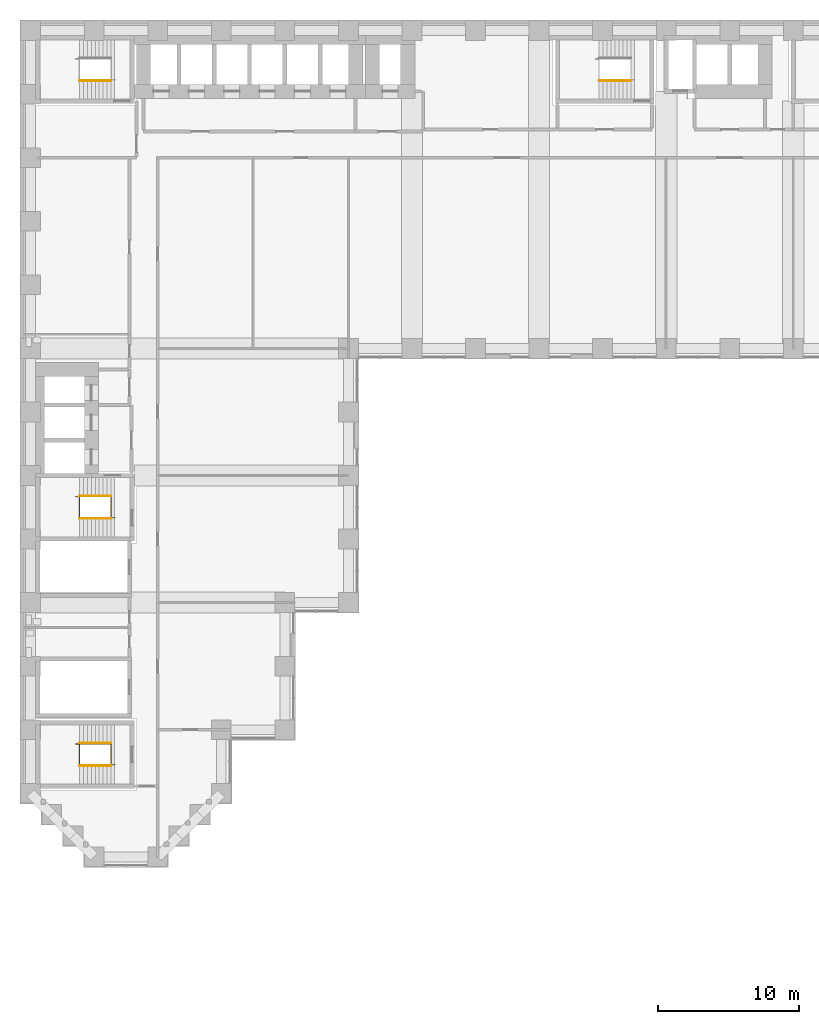
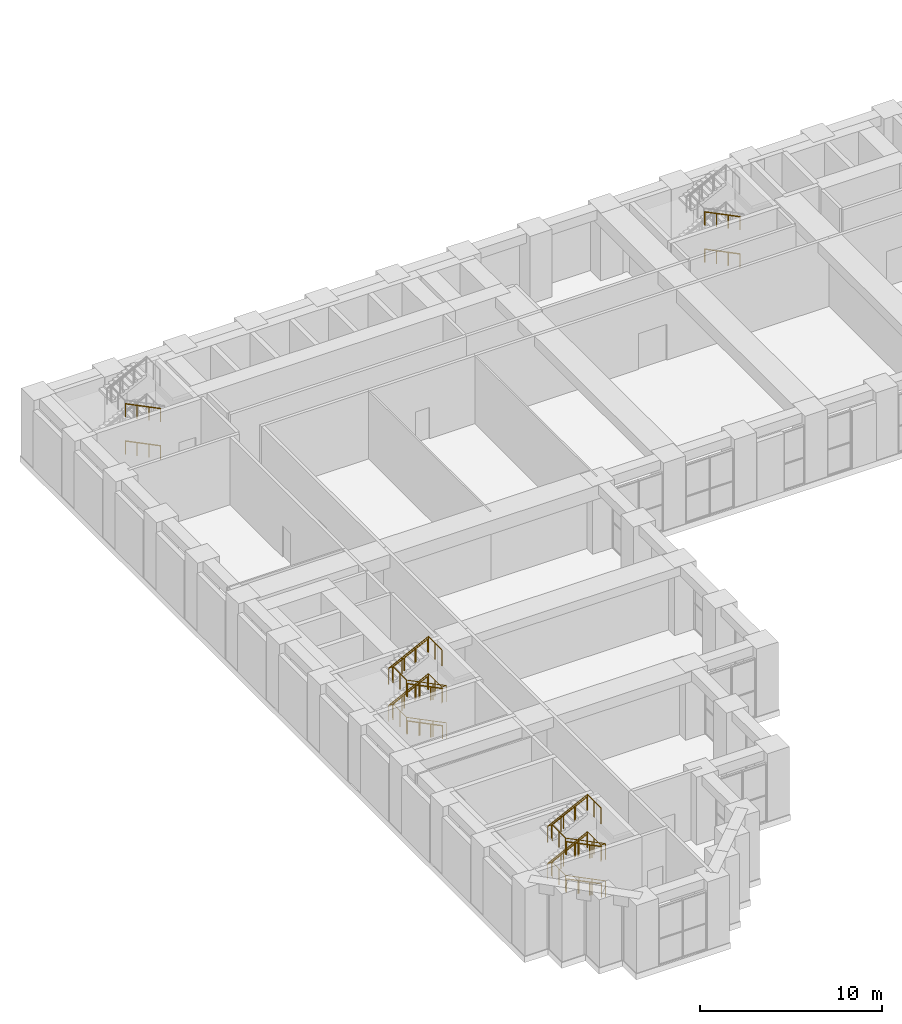
# One storey, part 29 of 34: 14 railings.
"""IFC4 building model written with IfcOpenShell, lengths in metres."""

from ifc_helpers import new_model, si_unit, direction, frame, origin, origin_2d, place, context, subcontext, project, spatial, circle, extrude, material, type_object, element, save


model = new_model("IFC4")

# Units and contexts
model_context = context("Model", 3, precision=1e-05, world=origin(), true_north=direction((0.0, 1.0)))
body_context = subcontext(model_context, "Body", "Model", "MODEL_VIEW")
ifc_project = project(units=[si_unit("LENGTHUNIT", "METRE"), si_unit("AREAUNIT", "SQUARE_METRE"), si_unit("VOLUMEUNIT", "CUBIC_METRE"), si_unit("PLANEANGLEUNIT", "RADIAN"), si_unit("MASSUNIT", "GRAM", prefix="KILO")], contexts=[model_context])

# Site, building, storey
site_placement = place(None, origin())
site = spatial("IfcSite", under=ifc_project, at=site_placement, CompositionType="ELEMENT")
building_placement = place(site_placement, origin())
building = spatial("IfcBuilding", under=site, at=building_placement, Name="Firuza Court", CompositionType="ELEMENT")
storey_placement = place(building_placement, frame((0.0, 0.0, 19.0)))
storey = spatial("IfcBuildingStorey", under=building, at=storey_placement, Name="L03", CompositionType="ELEMENT", Elevation=19.0)

# Railings
ifc_material_1 = material(Name="Steel S355", Category="steel")
railing_type_1 = type_object("IfcRailingType", Name="Handrail 900", PredefinedType="HANDRAIL", material=ifc_material_1)
for number, where, name in (
    (1, (42.5, 54.949951171875, 0.138916015625), "Handrail S1 flight 1"),
    (2, (42.5, 54.949951171875, 2.638916015625), "Handrail S1 flight 3"),
    (3, (5.699951171875, 23.949951171875, 0.138916015625), "Handrail S2 flight 1"),
):
    element("IfcRailing", number, at=place(storey_placement, frame(where)), inside=storey, type_object=railing_type_1, Name=name, PredefinedType="HANDRAIL", context=body_context, shape_type="SweptSolid", body=[
        extrude(circle(Radius=0.02490234375, at=origin_2d()), frame((0.0, 0.0, 0.875), z_axis=(-0.895848192791, 0.0, 0.444360231651), x_axis=(0.0, -1.0, 0.0)), (0.0, 0.0, 1.0), 2.50048828125),
        extrude(circle(Radius=0.02001953125, at=origin_2d()), origin(), (0.0, 0.0, 1.0), 0.849853515625),
        extrude(circle(Radius=0.02001953125, at=origin_2d()), frame((-0.74658203125, 0.0, 0.370361328125)), (0.0, 0.0, 1.0), 0.849853515625),
        extrude(circle(Radius=0.02001953125, at=origin_2d()), frame((-1.493408203125, 0.0, 0.74072265625)), (0.0, 0.0, 1.0), 0.849853515625),
        extrude(circle(Radius=0.02001953125, at=origin_2d()), frame((-2.239990234375, 0.0, 1.111083984375)), (0.0, 0.0, 1.0), 0.849853515625),
    ])
railing_1_placement = place(storey_placement, frame((3.4599609375, 25.550048828125, 1.388916015625)))
element("IfcRailing", 4, at=railing_1_placement, inside=storey, type_object=railing_type_1, Name="Handrail S2 flight 2", PredefinedType="HANDRAIL", context=body_context, shape_type="SweptSolid", body=[
    extrude(circle(Radius=0.02490234375, at=origin_2d()), frame((0.0, 0.0, 0.875), z_axis=(0.895848192791, 0.0, 0.444360231651), x_axis=(0.0, 1.0, 0.0)), (0.0, 0.0, 1.0), 2.50048828125),
    extrude(circle(Radius=0.02001953125, at=origin_2d()), origin(), (0.0, 0.0, 1.0), 0.849853515625),
    extrude(circle(Radius=0.02001953125, at=origin_2d()), frame((0.74658203125, 0.0, 0.370361328125)), (0.0, 0.0, 1.0), 0.849853515625),
    extrude(circle(Radius=0.02001953125, at=origin_2d()), frame((1.493408203125, 0.0, 0.74072265625)), (0.0, 0.0, 1.0), 0.849853515625),
    extrude(circle(Radius=0.02001953125, at=origin_2d()), frame((2.239990234375, 0.0, 1.111083984375)), (0.0, 0.0, 1.0), 0.849853515625),
])
railing_2_placement = place(storey_placement, frame((5.699951171875, 23.949951171875, 2.638916015625)))
element("IfcRailing", 5, at=railing_2_placement, inside=storey, type_object=railing_type_1, Name="Handrail S2 flight 3", PredefinedType="HANDRAIL", context=body_context, shape_type="SweptSolid", body=[
    extrude(circle(Radius=0.02490234375, at=origin_2d()), frame((0.0, 0.0, 0.875), z_axis=(-0.895848192791, 0.0, 0.444360231651), x_axis=(0.0, -1.0, 0.0)), (0.0, 0.0, 1.0), 2.50048828125),
    extrude(circle(Radius=0.02001953125, at=origin_2d()), origin(), (0.0, 0.0, 1.0), 0.849853515625),
    extrude(circle(Radius=0.02001953125, at=origin_2d()), frame((-0.74658203125, 0.0, 0.370361328125)), (0.0, 0.0, 1.0), 0.849853515625),
    extrude(circle(Radius=0.02001953125, at=origin_2d()), frame((-1.493408203125, 0.0, 0.74072265625)), (0.0, 0.0, 1.0), 0.849853515625),
    extrude(circle(Radius=0.02001953125, at=origin_2d()), frame((-2.239990234375, 0.0, 1.111083984375)), (0.0, 0.0, 1.0), 0.849853515625),
])
railing_3_placement = place(storey_placement, frame((3.4599609375, 25.550048828125, 3.888916015625)))
element("IfcRailing", 6, at=railing_3_placement, inside=storey, type_object=railing_type_1, Name="Handrail S2 flight 4", PredefinedType="HANDRAIL", context=body_context, shape_type="SweptSolid", body=[
    extrude(circle(Radius=0.02490234375, at=origin_2d()), frame((0.0, 0.0, 0.875), z_axis=(0.895848192791, 0.0, 0.444360231651), x_axis=(0.0, 1.0, 0.0)), (0.0, 0.0, 1.0), 2.50048828125),
    extrude(circle(Radius=0.02001953125, at=origin_2d()), origin(), (0.0, 0.0, 1.0), 0.849853515625),
    extrude(circle(Radius=0.02001953125, at=origin_2d()), frame((0.74658203125, 0.0, 0.370361328125)), (0.0, 0.0, 1.0), 0.849853515625),
    extrude(circle(Radius=0.02001953125, at=origin_2d()), frame((1.493408203125, 0.0, 0.74072265625)), (0.0, 0.0, 1.0), 0.849853515625),
    extrude(circle(Radius=0.02001953125, at=origin_2d()), frame((2.239990234375, 0.0, 1.111083984375)), (0.0, 0.0, 1.0), 0.849853515625),
])
for number, where, name in (
    (7, (5.699951171875, 54.949951171875, 0.138916015625), "Handrail S3 flight 1"),
    (8, (5.699951171875, 54.949951171875, 2.638916015625), "Handrail S3 flight 3"),
    (9, (5.699951171875, 6.449951171875, 0.138916015625), "Handrail S5 flight 1"),
):
    element("IfcRailing", number, at=place(storey_placement, frame(where)), inside=storey, type_object=railing_type_1, Name=name, PredefinedType="HANDRAIL", context=body_context, shape_type="SweptSolid", body=[
        extrude(circle(Radius=0.02490234375, at=origin_2d()), frame((0.0, 0.0, 0.875), z_axis=(-0.895848192791, 0.0, 0.444360231651), x_axis=(0.0, -1.0, 0.0)), (0.0, 0.0, 1.0), 2.50048828125),
        extrude(circle(Radius=0.02001953125, at=origin_2d()), origin(), (0.0, 0.0, 1.0), 0.849853515625),
        extrude(circle(Radius=0.02001953125, at=origin_2d()), frame((-0.74658203125, 0.0, 0.370361328125)), (0.0, 0.0, 1.0), 0.849853515625),
        extrude(circle(Radius=0.02001953125, at=origin_2d()), frame((-1.493408203125, 0.0, 0.74072265625)), (0.0, 0.0, 1.0), 0.849853515625),
        extrude(circle(Radius=0.02001953125, at=origin_2d()), frame((-2.239990234375, 0.0, 1.111083984375)), (0.0, 0.0, 1.0), 0.849853515625),
    ])
railing_4_placement = place(storey_placement, frame((3.4599609375, 8.050048828125, 1.388916015625)))
element("IfcRailing", 10, at=railing_4_placement, inside=storey, type_object=railing_type_1, Name="Handrail S5 flight 2", PredefinedType="HANDRAIL", context=body_context, shape_type="SweptSolid", body=[
    extrude(circle(Radius=0.02490234375, at=origin_2d()), frame((0.0, 0.0, 0.875), z_axis=(0.895848192791, 0.0, 0.444360231651), x_axis=(0.0, 1.0, 0.0)), (0.0, 0.0, 1.0), 2.50048828125),
    extrude(circle(Radius=0.02001953125, at=origin_2d()), origin(), (0.0, 0.0, 1.0), 0.849853515625),
    extrude(circle(Radius=0.02001953125, at=origin_2d()), frame((0.74658203125, 0.0, 0.370361328125)), (0.0, 0.0, 1.0), 0.849853515625),
    extrude(circle(Radius=0.02001953125, at=origin_2d()), frame((1.493408203125, 0.0, 0.74072265625)), (0.0, 0.0, 1.0), 0.849853515625),
    extrude(circle(Radius=0.02001953125, at=origin_2d()), frame((2.239990234375, 0.0, 1.111083984375)), (0.0, 0.0, 1.0), 0.849853515625),
])
railing_5_placement = place(storey_placement, frame((5.699951171875, 6.449951171875, 2.638916015625)))
element("IfcRailing", 11, at=railing_5_placement, inside=storey, type_object=railing_type_1, Name="Handrail S5 flight 3", PredefinedType="HANDRAIL", context=body_context, shape_type="SweptSolid", body=[
    extrude(circle(Radius=0.02490234375, at=origin_2d()), frame((0.0, 0.0, 0.875), z_axis=(-0.895848192791, 0.0, 0.444360231651), x_axis=(0.0, -1.0, 0.0)), (0.0, 0.0, 1.0), 2.50048828125),
    extrude(circle(Radius=0.02001953125, at=origin_2d()), origin(), (0.0, 0.0, 1.0), 0.849853515625),
    extrude(circle(Radius=0.02001953125, at=origin_2d()), frame((-0.74658203125, 0.0, 0.370361328125)), (0.0, 0.0, 1.0), 0.849853515625),
    extrude(circle(Radius=0.02001953125, at=origin_2d()), frame((-1.493408203125, 0.0, 0.74072265625)), (0.0, 0.0, 1.0), 0.849853515625),
    extrude(circle(Radius=0.02001953125, at=origin_2d()), frame((-2.239990234375, 0.0, 1.111083984375)), (0.0, 0.0, 1.0), 0.849853515625),
])
railing_6_placement = place(storey_placement, frame((3.4599609375, 8.050048828125, 3.888916015625)))
element("IfcRailing", 12, at=railing_6_placement, inside=storey, type_object=railing_type_1, Name="Handrail S5 flight 4", PredefinedType="HANDRAIL", context=body_context, shape_type="SweptSolid", body=[
    extrude(circle(Radius=0.02490234375, at=origin_2d()), frame((0.0, 0.0, 0.875), z_axis=(0.895848192791, 0.0, 0.444360231651), x_axis=(0.0, 1.0, 0.0)), (0.0, 0.0, 1.0), 2.50048828125),
    extrude(circle(Radius=0.02001953125, at=origin_2d()), origin(), (0.0, 0.0, 1.0), 0.849853515625),
    extrude(circle(Radius=0.02001953125, at=origin_2d()), frame((0.74658203125, 0.0, 0.370361328125)), (0.0, 0.0, 1.0), 0.849853515625),
    extrude(circle(Radius=0.02001953125, at=origin_2d()), frame((1.493408203125, 0.0, 0.74072265625)), (0.0, 0.0, 1.0), 0.849853515625),
    extrude(circle(Radius=0.02001953125, at=origin_2d()), frame((2.239990234375, 0.0, 1.111083984375)), (0.0, 0.0, 1.0), 0.849853515625),
])
ifc_material_2 = material(Name="Steel S355", Category="steel")
railing_type_2 = type_object("IfcRailingType", Name="Stair guard 1100", PredefinedType="GUARDRAIL", material=ifc_material_2)
railing_7_placement = place(storey_placement, frame((5.97998046875, 24.010009765625, 0.0)))
element("IfcRailing", 13, at=railing_7_placement, inside=storey, type_object=railing_type_2, Name="Stair well guard S2", PredefinedType="GUARDRAIL", context=body_context, shape_type="SweptSolid", body=[
    extrude(circle(Radius=0.02490234375, at=origin_2d()), frame((0.0, 0.0, 1.0751953125), z_axis=(-0.89584601627, 0.0, 0.44436461958), x_axis=(0.0, -1.0, 0.0)), (0.0, 0.0, 1.0), 2.81298828125),
    extrude(circle(Radius=0.02490234375, at=origin_2d()), frame((-2.52001953125, 0.0, 2.3251953125), z_axis=(0.0, 1.0, 0.0), x_axis=(-1.0, 0.0, 0.0)), (0.0, 0.0, 1.0), 1.47998046875),
    extrude(circle(Radius=0.02490234375, at=origin_2d()), frame((-2.52001953125, 1.47998046875, 2.3251953125), z_axis=(-1.0, 0.0, 0.0), x_axis=(0.0, -1.0, 0.0)), (0.0, 0.0, 1.0), 0.280029296875),
    extrude(circle(Radius=0.02490234375, at=origin_2d()), frame((-2.800048828125, 1.47998046875, 2.3251953125), z_axis=(0.89584601627, 0.0, 0.44436461958), x_axis=(0.0, 1.0, 0.0)), (0.0, 0.0, 1.0), 2.81298828125),
    extrude(circle(Radius=0.02490234375, at=origin_2d()), frame((-0.280029296875, 1.47998046875, 3.5751953125), z_axis=(0.0, -1.0, 0.0), x_axis=(1.0, 0.0, 0.0)), (0.0, 0.0, 1.0), 1.47998046875),
    extrude(circle(Radius=0.02490234375, at=origin_2d()), frame((-0.280029296875, 0.0, 3.5751953125), z_axis=(1.0, 0.0, 0.0), x_axis=(0.0, 1.0, 0.0)), (0.0, 0.0, 1.0), 0.280029296875),
    extrude(circle(Radius=0.02490234375, at=origin_2d()), frame((0.0, 0.0, 3.5751953125), z_axis=(-0.89584601627, 0.0, 0.44436461958), x_axis=(0.0, -1.0, 0.0)), (0.0, 0.0, 1.0), 2.81298828125),
    extrude(circle(Radius=0.02490234375, at=origin_2d()), frame((-2.52001953125, 0.0, 4.8251953125), z_axis=(0.0, 1.0, 0.0), x_axis=(-1.0, 0.0, 0.0)), (0.0, 0.0, 1.0), 1.47998046875),
    extrude(circle(Radius=0.02490234375, at=origin_2d()), frame((-2.52001953125, 1.47998046875, 4.8251953125), z_axis=(-1.0, 0.0, 0.0), x_axis=(0.0, -1.0, 0.0)), (0.0, 0.0, 1.0), 0.280029296875),
    extrude(circle(Radius=0.02490234375, at=origin_2d()), frame((-2.800048828125, 1.47998046875, 4.8251953125), z_axis=(0.89584601627, 0.0, 0.44436461958), x_axis=(0.0, 1.0, 0.0)), (0.0, 0.0, 1.0), 2.81298828125),
    extrude(circle(Radius=0.02490234375, at=origin_2d()), frame((-0.280029296875, 1.47998046875, 6.0751953125), z_axis=(0.0, -1.0, 0.0), x_axis=(1.0, 0.0, 0.0)), (0.0, 0.0, 1.0), 1.47998046875),
    extrude(circle(Radius=0.02490234375, at=origin_2d()), origin(), (0.0, 0.0, 1.0), 1.050048828125),
    extrude(circle(Radius=0.02490234375, at=origin_2d()), frame((-0.840087890625, 0.0, 0.416748046875)), (0.0, 0.0, 1.0), 1.050048828125),
    extrude(circle(Radius=0.02490234375, at=origin_2d()), frame((-1.679931640625, 0.0, 0.833251953125)), (0.0, 0.0, 1.0), 1.050048828125),
    extrude(circle(Radius=0.02490234375, at=origin_2d()), frame((-2.52001953125, 0.0, 1.25)), (0.0, 0.0, 1.0), 1.050048828125),
    extrude(circle(Radius=0.02490234375, at=origin_2d()), frame((-2.52001953125, 0.739990234375, 1.25)), (0.0, 0.0, 1.0), 1.050048828125),
    extrude(circle(Radius=0.02490234375, at=origin_2d()), frame((-2.52001953125, 1.47998046875, 1.25)), (0.0, 0.0, 1.0), 1.050048828125),
    extrude(circle(Radius=0.02490234375, at=origin_2d()), frame((-2.800048828125, 1.47998046875, 1.25)), (0.0, 0.0, 1.0), 1.050048828125),
    extrude(circle(Radius=0.02490234375, at=origin_2d()), frame((-1.9599609375, 1.47998046875, 1.666748046875)), (0.0, 0.0, 1.0), 1.050048828125),
    extrude(circle(Radius=0.02490234375, at=origin_2d()), frame((-1.1201171875, 1.47998046875, 2.083251953125)), (0.0, 0.0, 1.0), 1.050048828125),
    extrude(circle(Radius=0.02490234375, at=origin_2d()), frame((-0.280029296875, 1.47998046875, 2.5)), (0.0, 0.0, 1.0), 1.050048828125),
    extrude(circle(Radius=0.02490234375, at=origin_2d()), frame((-0.280029296875, 0.739990234375, 2.5)), (0.0, 0.0, 1.0), 1.050048828125),
    extrude(circle(Radius=0.02490234375, at=origin_2d()), frame((-0.280029296875, 0.0, 2.5)), (0.0, 0.0, 1.0), 1.050048828125),
    extrude(circle(Radius=0.02490234375, at=origin_2d()), frame((0.0, 0.0, 2.5)), (0.0, 0.0, 1.0), 1.050048828125),
    extrude(circle(Radius=0.02490234375, at=origin_2d()), frame((-0.840087890625, 0.0, 2.916748046875)), (0.0, 0.0, 1.0), 1.050048828125),
    extrude(circle(Radius=0.02490234375, at=origin_2d()), frame((-1.679931640625, 0.0, 3.333251953125)), (0.0, 0.0, 1.0), 1.050048828125),
    extrude(circle(Radius=0.02490234375, at=origin_2d()), frame((-2.52001953125, 0.0, 3.75)), (0.0, 0.0, 1.0), 1.050048828125),
    extrude(circle(Radius=0.02490234375, at=origin_2d()), frame((-2.52001953125, 0.739990234375, 3.75)), (0.0, 0.0, 1.0), 1.050048828125),
    extrude(circle(Radius=0.02490234375, at=origin_2d()), frame((-2.52001953125, 1.47998046875, 3.75)), (0.0, 0.0, 1.0), 1.050048828125),
    extrude(circle(Radius=0.02490234375, at=origin_2d()), frame((-2.800048828125, 1.47998046875, 3.75)), (0.0, 0.0, 1.0), 1.050048828125),
    extrude(circle(Radius=0.02490234375, at=origin_2d()), frame((-1.9599609375, 1.47998046875, 4.166748046875)), (0.0, 0.0, 1.0), 1.050048828125),
    extrude(circle(Radius=0.02490234375, at=origin_2d()), frame((-1.1201171875, 1.47998046875, 4.583251953125)), (0.0, 0.0, 1.0), 1.050048828125),
    extrude(circle(Radius=0.02490234375, at=origin_2d()), frame((-0.280029296875, 1.47998046875, 5.0)), (0.0, 0.0, 1.0), 1.050048828125),
    extrude(circle(Radius=0.02490234375, at=origin_2d()), frame((-0.280029296875, 0.739990234375, 5.0)), (0.0, 0.0, 1.0), 1.050048828125),
    extrude(circle(Radius=0.02490234375, at=origin_2d()), frame((-0.280029296875, 0.0, 5.0)), (0.0, 0.0, 1.0), 1.050048828125),
])
railing_8_placement = place(storey_placement, frame((5.97998046875, 6.510009765625, 0.0)))
element("IfcRailing", 14, at=railing_8_placement, inside=storey, type_object=railing_type_2, Name="Stair well guard S5", PredefinedType="GUARDRAIL", context=body_context, shape_type="SweptSolid", body=[
    extrude(circle(Radius=0.02490234375, at=origin_2d()), frame((0.0, 0.0, 1.0751953125), z_axis=(-0.89584601627, 0.0, 0.44436461958), x_axis=(0.0, -1.0, 0.0)), (0.0, 0.0, 1.0), 2.81298828125),
    extrude(circle(Radius=0.02490234375, at=origin_2d()), frame((-2.52001953125, 0.0, 2.3251953125), z_axis=(0.0, 1.0, 0.0), x_axis=(-1.0, 0.0, 0.0)), (0.0, 0.0, 1.0), 1.47998046875),
    extrude(circle(Radius=0.02490234375, at=origin_2d()), frame((-2.52001953125, 1.47998046875, 2.3251953125), z_axis=(-1.0, 0.0, 0.0), x_axis=(0.0, -1.0, 0.0)), (0.0, 0.0, 1.0), 0.280029296875),
    extrude(circle(Radius=0.02490234375, at=origin_2d()), frame((-2.800048828125, 1.47998046875, 2.3251953125), z_axis=(0.89584601627, 0.0, 0.44436461958), x_axis=(0.0, 1.0, 0.0)), (0.0, 0.0, 1.0), 2.81298828125),
    extrude(circle(Radius=0.02490234375, at=origin_2d()), frame((-0.280029296875, 1.47998046875, 3.5751953125), z_axis=(0.0, -1.0, 0.0), x_axis=(1.0, 0.0, 0.0)), (0.0, 0.0, 1.0), 1.47998046875),
    extrude(circle(Radius=0.02490234375, at=origin_2d()), frame((-0.280029296875, 0.0, 3.5751953125), z_axis=(1.0, 0.0, 0.0), x_axis=(0.0, 1.0, 0.0)), (0.0, 0.0, 1.0), 0.280029296875),
    extrude(circle(Radius=0.02490234375, at=origin_2d()), frame((0.0, 0.0, 3.5751953125), z_axis=(-0.89584601627, 0.0, 0.44436461958), x_axis=(0.0, -1.0, 0.0)), (0.0, 0.0, 1.0), 2.81298828125),
    extrude(circle(Radius=0.02490234375, at=origin_2d()), frame((-2.52001953125, 0.0, 4.8251953125), z_axis=(0.0, 1.0, 0.0), x_axis=(-1.0, 0.0, 0.0)), (0.0, 0.0, 1.0), 1.47998046875),
    extrude(circle(Radius=0.02490234375, at=origin_2d()), frame((-2.52001953125, 1.47998046875, 4.8251953125), z_axis=(-1.0, 0.0, 0.0), x_axis=(0.0, -1.0, 0.0)), (0.0, 0.0, 1.0), 0.280029296875),
    extrude(circle(Radius=0.02490234375, at=origin_2d()), frame((-2.800048828125, 1.47998046875, 4.8251953125), z_axis=(0.89584601627, 0.0, 0.44436461958), x_axis=(0.0, 1.0, 0.0)), (0.0, 0.0, 1.0), 2.81298828125),
    extrude(circle(Radius=0.02490234375, at=origin_2d()), frame((-0.280029296875, 1.47998046875, 6.0751953125), z_axis=(0.0, -1.0, 0.0), x_axis=(1.0, 0.0, 0.0)), (0.0, 0.0, 1.0), 1.47998046875),
    extrude(circle(Radius=0.02490234375, at=origin_2d()), origin(), (0.0, 0.0, 1.0), 1.050048828125),
    extrude(circle(Radius=0.02490234375, at=origin_2d()), frame((-0.840087890625, 0.0, 0.416748046875)), (0.0, 0.0, 1.0), 1.050048828125),
    extrude(circle(Radius=0.02490234375, at=origin_2d()), frame((-1.679931640625, 0.0, 0.833251953125)), (0.0, 0.0, 1.0), 1.050048828125),
    extrude(circle(Radius=0.02490234375, at=origin_2d()), frame((-2.52001953125, 0.0, 1.25)), (0.0, 0.0, 1.0), 1.050048828125),
    extrude(circle(Radius=0.02490234375, at=origin_2d()), frame((-2.52001953125, 0.739990234375, 1.25)), (0.0, 0.0, 1.0), 1.050048828125),
    extrude(circle(Radius=0.02490234375, at=origin_2d()), frame((-2.52001953125, 1.47998046875, 1.25)), (0.0, 0.0, 1.0), 1.050048828125),
    extrude(circle(Radius=0.02490234375, at=origin_2d()), frame((-2.800048828125, 1.47998046875, 1.25)), (0.0, 0.0, 1.0), 1.050048828125),
    extrude(circle(Radius=0.02490234375, at=origin_2d()), frame((-1.9599609375, 1.47998046875, 1.666748046875)), (0.0, 0.0, 1.0), 1.050048828125),
    extrude(circle(Radius=0.02490234375, at=origin_2d()), frame((-1.1201171875, 1.47998046875, 2.083251953125)), (0.0, 0.0, 1.0), 1.050048828125),
    extrude(circle(Radius=0.02490234375, at=origin_2d()), frame((-0.280029296875, 1.47998046875, 2.5)), (0.0, 0.0, 1.0), 1.050048828125),
    extrude(circle(Radius=0.02490234375, at=origin_2d()), frame((-0.280029296875, 0.739990234375, 2.5)), (0.0, 0.0, 1.0), 1.050048828125),
    extrude(circle(Radius=0.02490234375, at=origin_2d()), frame((-0.280029296875, 0.0, 2.5)), (0.0, 0.0, 1.0), 1.050048828125),
    extrude(circle(Radius=0.02490234375, at=origin_2d()), frame((0.0, 0.0, 2.5)), (0.0, 0.0, 1.0), 1.050048828125),
    extrude(circle(Radius=0.02490234375, at=origin_2d()), frame((-0.840087890625, 0.0, 2.916748046875)), (0.0, 0.0, 1.0), 1.050048828125),
    extrude(circle(Radius=0.02490234375, at=origin_2d()), frame((-1.679931640625, 0.0, 3.333251953125)), (0.0, 0.0, 1.0), 1.050048828125),
    extrude(circle(Radius=0.02490234375, at=origin_2d()), frame((-2.52001953125, 0.0, 3.75)), (0.0, 0.0, 1.0), 1.050048828125),
    extrude(circle(Radius=0.02490234375, at=origin_2d()), frame((-2.52001953125, 0.739990234375, 3.75)), (0.0, 0.0, 1.0), 1.050048828125),
    extrude(circle(Radius=0.02490234375, at=origin_2d()), frame((-2.52001953125, 1.47998046875, 3.75)), (0.0, 0.0, 1.0), 1.050048828125),
    extrude(circle(Radius=0.02490234375, at=origin_2d()), frame((-2.800048828125, 1.47998046875, 3.75)), (0.0, 0.0, 1.0), 1.050048828125),
    extrude(circle(Radius=0.02490234375, at=origin_2d()), frame((-1.9599609375, 1.47998046875, 4.166748046875)), (0.0, 0.0, 1.0), 1.050048828125),
    extrude(circle(Radius=0.02490234375, at=origin_2d()), frame((-1.1201171875, 1.47998046875, 4.583251953125)), (0.0, 0.0, 1.0), 1.050048828125),
    extrude(circle(Radius=0.02490234375, at=origin_2d()), frame((-0.280029296875, 1.47998046875, 5.0)), (0.0, 0.0, 1.0), 1.050048828125),
    extrude(circle(Radius=0.02490234375, at=origin_2d()), frame((-0.280029296875, 0.739990234375, 5.0)), (0.0, 0.0, 1.0), 1.050048828125),
    extrude(circle(Radius=0.02490234375, at=origin_2d()), frame((-0.280029296875, 0.0, 5.0)), (0.0, 0.0, 1.0), 1.050048828125),
])

save(model, "model.ifc")
